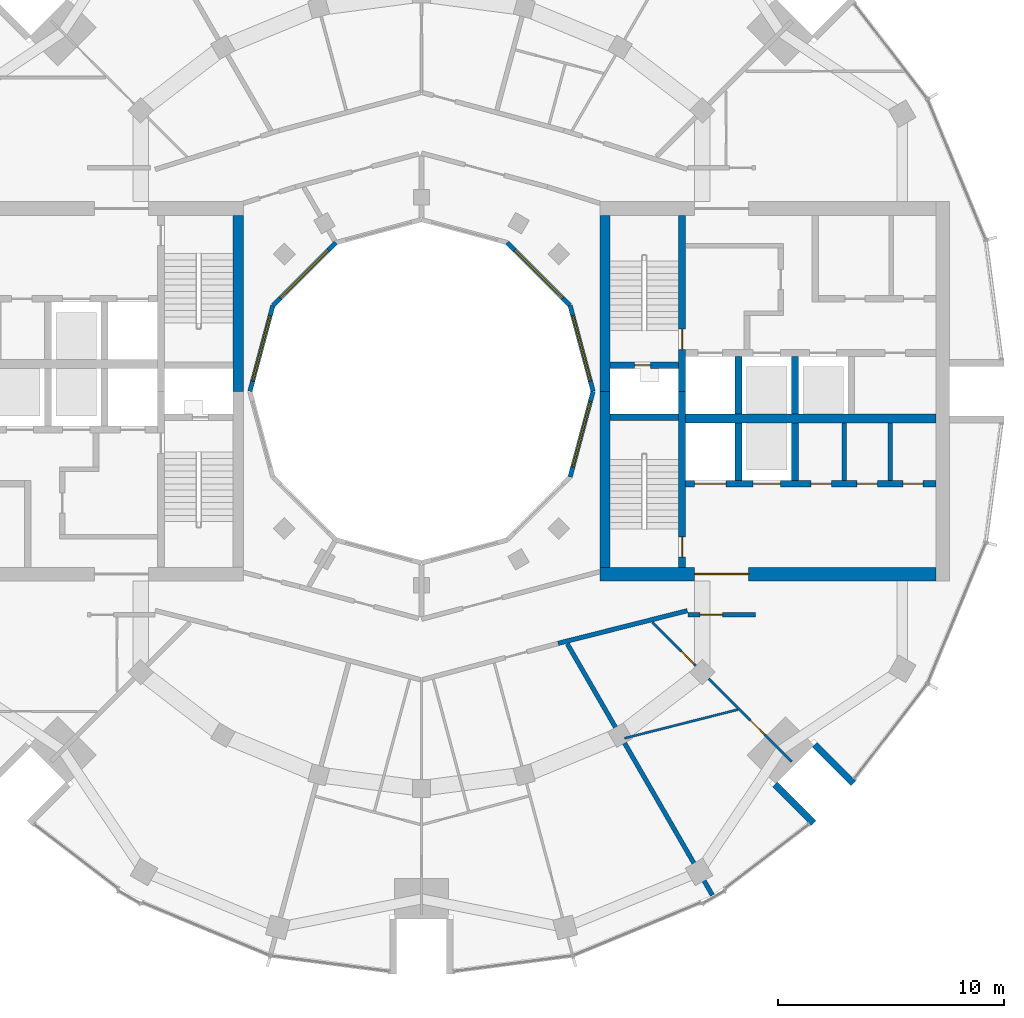
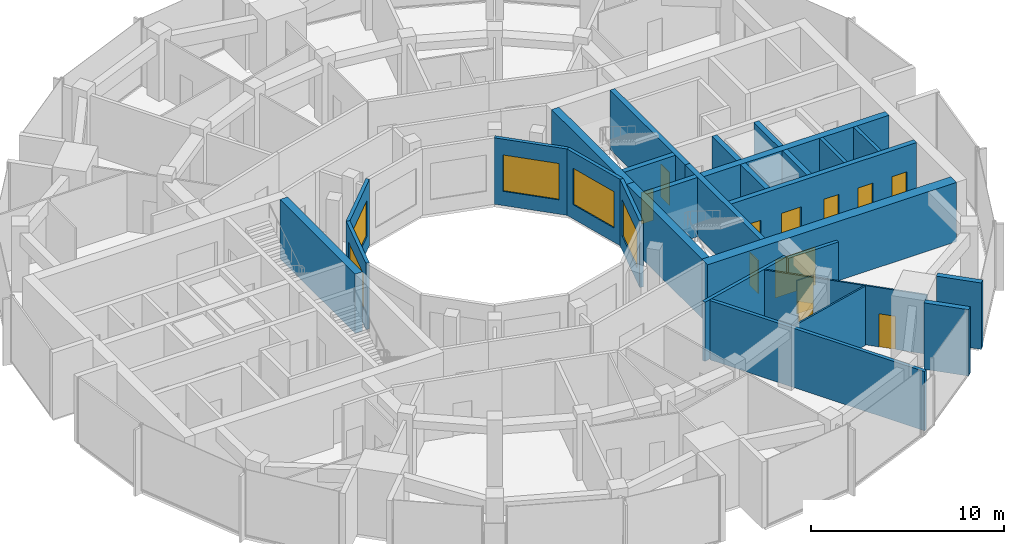
# One storey, part 10 of 15: 28 walls, 12 doors, 5 windows, 17 openings.
"""IFC4 building model written with IfcOpenShell, lengths in metres."""

from ifc_helpers import new_model, si_unit, direction, frame, frame_2d, origin, place, context, subcontext, project, spatial, rectangle, extrude, material, layer, layer_set, type_object, element, fill, save


model = new_model("IFC4")

# Units and contexts
model_context = context("Model", 3, precision=1e-05, world=origin(), true_north=direction((0.0, 1.0)))
body_context = subcontext(model_context, "Body", "Model", "MODEL_VIEW")
ifc_project = project(units=[si_unit("LENGTHUNIT", "METRE"), si_unit("AREAUNIT", "SQUARE_METRE"), si_unit("VOLUMEUNIT", "CUBIC_METRE"), si_unit("PLANEANGLEUNIT", "RADIAN"), si_unit("MASSUNIT", "GRAM", prefix="KILO")], contexts=[model_context])

# Site, building, storey
site_placement = place(None, origin())
site = spatial("IfcSite", under=ifc_project, at=site_placement, CompositionType="ELEMENT")
building_placement = place(site_placement, origin())
building = spatial("IfcBuilding", under=site, at=building_placement, Name="Torre Brocal", CompositionType="ELEMENT")
storey_placement = place(building_placement, frame((0.0, 0.0, 266.699951171875)))
storey = spatial("IfcBuildingStorey", under=building, at=storey_placement, Name="L61", CompositionType="ELEMENT", Elevation=266.699951171875)

# Walls
ifc_material_1 = material(Name="Masonry block", Category="masonry")
ifc_layer_1 = layer(ifc_material_1, 0.199951171875)
ifc_layer_set_1 = layer_set([ifc_layer_1], Name="Masonry block")
wall_type_1 = type_object("IfcWallType", Name="CORE PARTITION 200 UNDER 450 SLAB", PredefinedType="PARTITIONING", material=ifc_layer_set_1)
for number, where, z_axis, x_axis, name in (
    (1, (98.7333984375, 71.050048828125, 0.0), (0.0, 0.0, 1.0), (0.0, 1.0, 0.0), "Wall CP200-S450"),
    (2, (100.7666015625, 71.050048828125, 0.0), (0.0, 0.0, 1.0), (0.0, 1.0, 0.0), "Wall CP200-S450"),
):
    element("IfcWall", number, at=place(storey_placement, frame(where, z_axis=z_axis, x_axis=x_axis)), inside=storey, type_object=wall_type_1, Name=name, PredefinedType="PARTITIONING", context=body_context, shape_type="SweptSolid", body=[
        extrude(rectangle(XDim=2.550048828125, YDim=0.199951171875, at=frame_2d((1.27490234375, 0.0))), origin(), (0.0, 0.0, 1.0), 3.75),
    ])

# Wall, opening, door
ifc_material_2 = material(Name="Concrete C60", Category="concrete")
ifc_layer_2 = layer(ifc_material_2, 0.300048828125)
ifc_layer_set_2 = layer_set([ifc_layer_2], Name="Concrete C60")
wall_type_2 = type_object("IfcWallType", Name="CORE WALL 300 C60 UNDER 450 SLAB", PredefinedType="SHEAR", material=ifc_layer_set_2)
wall_1_placement = place(storey_placement, frame((91.550048828125, 75.0, 0.0), z_axis=(0.0, 0.0, 1.0), x_axis=(0.0, 1.0, 0.0)))
wall_1 = element("IfcWall", 3, at=wall_1_placement, inside=storey, type_object=wall_type_2, Name="Wall CW300-60-S450", PredefinedType="SHEAR", context=body_context, shape_type="SweptSolid", body=[
    extrude(rectangle(XDim=7.800048828125, YDim=0.300048828125, at=frame_2d((3.89990234375, 0.0))), origin(), (0.0, 0.0, 1.0), 3.75),
])
opening_1_placement = place(wall_1_placement, frame((1.85009765625, 0.0, 0.0)))
opening_1 = element("IfcOpeningElement", 4, at=opening_1_placement, cuts=wall_1, Name="Opening E-D02", PredefinedType="OPENING", context=body_context, shape_type="SweptSolid", body=[
    extrude(rectangle(XDim=0.89990234375, YDim=2.10009765625, at=frame_2d((0.449951171875, 1.050048828125))), frame((0.0, 0.159912109375, 0.0), z_axis=(0.0, -1.0, 0.0), x_axis=(1.0, 0.0, 0.0)), (0.0, 0.0, 1.0), 0.320068359375),
])
ifc_material_3 = material(Name="Steel A653", Category="steel")
door_type_1 = type_object("IfcDoorType", Name="STAIR DOOR FD120 900X2100", OperationType="SINGLE_SWING_RIGHT", PredefinedType="DOOR", material=ifc_material_3)
door_1_placement = place(opening_1_placement, origin())
door_1 = element("IfcDoor", 5, at=door_1_placement, inside=storey, type_object=door_type_1, Name="Door E-D02", OperationType="SINGLE_SWING_LEFT", OverallHeight=2.10009765625, OverallWidth=0.89990234375, PredefinedType="DOOR", context=body_context, shape_type="SweptSolid", body=[
    extrude(rectangle(XDim=0.89990234375, YDim=2.10009765625, at=frame_2d((0.449951171875, 1.050048828125))), frame((0.0, 0.02490234375, 0.0), z_axis=(0.0, -1.0, 0.0), x_axis=(1.0, 0.0, 0.0)), (0.0, 0.0, 1.0), 0.050048828125),
])
fill(opening_1, door_1)

wall_2_placement = place(storey_placement, frame((91.550048828125, 67.199951171875, 0.0), z_axis=(0.0, 0.0, 1.0), x_axis=(0.0, 1.0, 0.0)))
wall_2 = element("IfcWall", 6, at=wall_2_placement, inside=storey, type_object=wall_type_2, Name="Wall CW300-60-S450", PredefinedType="SHEAR", context=body_context, shape_type="SweptSolid", body=[
    extrude(rectangle(XDim=7.800048828125, YDim=0.300048828125, at=frame_2d((3.89990234375, 0.0))), origin(), (0.0, 0.0, 1.0), 3.75),
])
opening_2_placement = place(wall_2_placement, frame((0.449951171875, 0.0, 0.0)))
opening_2 = element("IfcOpeningElement", 7, at=opening_2_placement, cuts=wall_2, Name="Opening E-D03", PredefinedType="OPENING", context=body_context, shape_type="SweptSolid", body=[
    extrude(rectangle(XDim=0.89990234375, YDim=2.10009765625, at=frame_2d((0.449951171875, 1.050048828125))), frame((0.0, 0.159912109375, 0.0), z_axis=(0.0, -1.0, 0.0), x_axis=(1.0, 0.0, 0.0)), (0.0, 0.0, 1.0), 0.320068359375),
])
door_2_placement = place(opening_2_placement, origin())
door_2 = element("IfcDoor", 8, at=door_2_placement, inside=storey, type_object=door_type_1, Name="Door E-D03", OperationType="SINGLE_SWING_LEFT", OverallHeight=2.10009765625, OverallWidth=0.89990234375, PredefinedType="DOOR", context=body_context, shape_type="SweptSolid", body=[
    extrude(rectangle(XDim=0.89990234375, YDim=2.10009765625, at=frame_2d((0.449951171875, 1.050048828125))), frame((0.0, 0.02490234375, 0.0), z_axis=(0.0, -1.0, 0.0), x_axis=(1.0, 0.0, 0.0)), (0.0, 0.0, 1.0), 0.050048828125),
])
fill(opening_2, door_2)

wall_3_placement = place(storey_placement, frame((88.35009765625, 76.14990234375, 0.0), z_axis=(0.0, 0.0, 1.0), x_axis=(1.0, 0.0, 0.0)))
wall_3 = element("IfcWall", 9, at=wall_3_placement, inside=storey, type_object=wall_type_2, Name="Wall CW300-60-S450", PredefinedType="SHEAR", context=body_context, shape_type="SweptSolid", body=[
    extrude(rectangle(XDim=3.0498046875, YDim=0.300048828125, at=frame_2d((1.52490234375, 0.0))), origin(), (0.0, 0.0, 1.0), 3.75),
])
opening_3_placement = place(wall_3_placement, frame((1.10009765625, 0.0, 0.0)))
opening_3 = element("IfcOpeningElement", 10, at=opening_3_placement, cuts=wall_3, Name="Opening E-D01", PredefinedType="OPENING", context=body_context, shape_type="SweptSolid", body=[
    extrude(rectangle(XDim=0.699951171875, YDim=2.0, at=frame_2d((0.35009765625, 1.0))), frame((0.0, 0.159912109375, 0.0), z_axis=(0.0, -1.0, 0.0), x_axis=(1.0, 0.0, 0.0)), (0.0, 0.0, 1.0), 0.320068359375),
])
ifc_material_4 = material(Name="Steel A653", Category="steel")
door_type_2 = type_object("IfcDoorType", Name="RISER DOOR FD120 700X2000", OperationType="SINGLE_SWING_LEFT", PredefinedType="DOOR", material=ifc_material_4)
door_3_placement = place(opening_3_placement, frame((0.699951171875, 0.0, 0.0), z_axis=(0.0, 0.0, 1.0), x_axis=(-1.0, 0.0, 0.0)))
door_3 = element("IfcDoor", 11, at=door_3_placement, inside=storey, type_object=door_type_2, Name="Door E-D01", OperationType="SINGLE_SWING_RIGHT", OverallHeight=2.0, OverallWidth=0.699951171875, PredefinedType="DOOR", context=body_context, shape_type="SweptSolid", body=[
    extrude(rectangle(XDim=0.699951171875, YDim=2.0, at=frame_2d((0.35009765625, 1.0))), frame((0.0, 0.02490234375, 0.0), z_axis=(0.0, -1.0, 0.0), x_axis=(1.0, 0.0, 0.0)), (0.0, 0.0, 1.0), 0.050048828125),
])
fill(opening_3, door_3)

# Wall
wall_4_placement = place(storey_placement, frame((88.35009765625, 73.85009765625, 0.0), z_axis=(0.0, 0.0, 1.0), x_axis=(1.0, 0.0, 0.0)))
element("IfcWall", 12, at=wall_4_placement, inside=storey, type_object=wall_type_2, Name="Wall CW300-60-S450", PredefinedType="SHEAR", context=body_context, shape_type="SweptSolid", body=[
    extrude(rectangle(XDim=3.0498046875, YDim=0.300048828125, at=frame_2d((1.52490234375, 0.0))), origin(), (0.0, 0.0, 1.0), 3.75),
])

# Wall, openings, doors
wall_5_placement = place(storey_placement, frame((91.699951171875, 70.89990234375, 0.0), z_axis=(0.0, 0.0, 1.0), x_axis=(1.0, 0.0, 0.0)))
wall_5 = element("IfcWall", 13, at=wall_5_placement, inside=storey, type_object=wall_type_2, Name="Wall CW300-60-S450", PredefinedType="SHEAR", context=body_context, shape_type="SweptSolid", body=[
    extrude(rectangle(XDim=11.10009765625, YDim=0.300048828125, at=frame_2d((5.550048828125, 0.0))), origin(), (0.0, 0.0, 1.0), 3.75),
])
opening_4_placement = place(wall_5_placement, frame((0.39990234375, 0.0, 0.0)))
opening_4 = element("IfcOpeningElement", 14, at=opening_4_placement, cuts=wall_5, Name="Opening LD14", PredefinedType="OPENING", context=body_context, shape_type="SweptSolid", body=[
    extrude(rectangle(XDim=1.39990234375, YDim=2.10009765625, at=frame_2d((0.699951171875, 1.050048828125))), frame((0.0, 0.159912109375, 0.0), z_axis=(0.0, -1.0, 0.0), x_axis=(1.0, 0.0, 0.0)), (0.0, 0.0, 1.0), 0.320068359375),
])
opening_5_placement = place(wall_5_placement, frame((3.0, 0.0, 0.0)))
opening_5 = element("IfcOpeningElement", 15, at=opening_5_placement, cuts=wall_5, Name="Opening LD12", PredefinedType="OPENING", context=body_context, shape_type="SweptSolid", body=[
    extrude(rectangle(XDim=1.199951171875, YDim=2.10009765625, at=frame_2d((0.60009765625, 1.050048828125))), frame((0.0, 0.159912109375, 0.0), z_axis=(0.0, -1.0, 0.0), x_axis=(1.0, 0.0, 0.0)), (0.0, 0.0, 1.0), 0.320068359375),
])
opening_6_placement = place(wall_5_placement, frame((5.566650390625, 0.0, 0.0)))
opening_6 = element("IfcOpeningElement", 16, at=opening_6_placement, cuts=wall_5, Name="Opening E-D05", PredefinedType="OPENING", context=body_context, shape_type="SweptSolid", body=[
    extrude(rectangle(XDim=0.89990234375, YDim=2.10009765625, at=frame_2d((0.449951171875, 1.050048828125))), frame((0.0, 0.159912109375, 0.0), z_axis=(0.0, -1.0, 0.0), x_axis=(1.0, 0.0, 0.0)), (0.0, 0.0, 1.0), 0.320068359375),
])
opening_7_placement = place(wall_5_placement, frame((7.60009765625, 0.0, 0.0)))
opening_7 = element("IfcOpeningElement", 17, at=opening_7_placement, cuts=wall_5, Name="Opening E-D06", PredefinedType="OPENING", context=body_context, shape_type="SweptSolid", body=[
    extrude(rectangle(XDim=0.89990234375, YDim=2.10009765625, at=frame_2d((0.449951171875, 1.050048828125))), frame((0.0, 0.159912109375, 0.0), z_axis=(0.0, -1.0, 0.0), x_axis=(1.0, 0.0, 0.0)), (0.0, 0.0, 1.0), 0.320068359375),
])
opening_8_placement = place(wall_5_placement, frame((9.63330078125, 0.0, 0.0)))
opening_8 = element("IfcOpeningElement", 18, at=opening_8_placement, cuts=wall_5, Name="Opening E-D07", PredefinedType="OPENING", context=body_context, shape_type="SweptSolid", body=[
    extrude(rectangle(XDim=0.89990234375, YDim=2.10009765625, at=frame_2d((0.449951171875, 1.050048828125))), frame((0.0, 0.159912109375, 0.0), z_axis=(0.0, -1.0, 0.0), x_axis=(1.0, 0.0, 0.0)), (0.0, 0.0, 1.0), 0.320068359375),
])
ifc_material_5 = material(Name="Stainless steel AISI 316", Category="steel")
door_type_3 = type_object("IfcDoorType", Name="LIFT LANDING DOOR 1200X2100", OperationType="DOUBLE_DOOR_SLIDING", PredefinedType="DOOR", material=ifc_material_5)
door_4_placement = place(opening_5_placement, origin())
door_4 = element("IfcDoor", 19, at=door_4_placement, inside=storey, type_object=door_type_3, Name="Door LD12", OperationType="DOUBLE_DOOR_SLIDING", OverallHeight=2.10009765625, OverallWidth=1.199951171875, PredefinedType="DOOR", context=body_context, shape_type="SweptSolid", body=[
    extrude(rectangle(XDim=1.199951171875, YDim=2.10009765625, at=frame_2d((0.60009765625, 1.050048828125))), frame((0.0, 0.02490234375, 0.0), z_axis=(0.0, -1.0, 0.0), x_axis=(1.0, 0.0, 0.0)), (0.0, 0.0, 1.0), 0.050048828125),
])
fill(opening_5, door_4)
ifc_material_6 = material(Name="Stainless steel AISI 316", Category="steel")
door_type_4 = type_object("IfcDoorType", Name="LIFT LANDING DOOR 1400X2100", OperationType="DOUBLE_DOOR_SLIDING", PredefinedType="DOOR", material=ifc_material_6)
door_5_placement = place(opening_4_placement, origin())
door_5 = element("IfcDoor", 20, at=door_5_placement, inside=storey, type_object=door_type_4, Name="Door LD14", OperationType="DOUBLE_DOOR_SLIDING", OverallHeight=2.10009765625, OverallWidth=1.39990234375, PredefinedType="DOOR", context=body_context, shape_type="SweptSolid", body=[
    extrude(rectangle(XDim=1.39990234375, YDim=2.10009765625, at=frame_2d((0.699951171875, 1.050048828125))), frame((0.0, 0.02490234375, 0.0), z_axis=(0.0, -1.0, 0.0), x_axis=(1.0, 0.0, 0.0)), (0.0, 0.0, 1.0), 0.050048828125),
])
fill(opening_4, door_5)
ifc_material_7 = material(Name="Steel A653", Category="steel")
door_type_5 = type_object("IfcDoorType", Name="ROOM DOOR FD30S 900X2100", OperationType="SINGLE_SWING_LEFT", PredefinedType="DOOR", material=ifc_material_7)
door_6_placement = place(opening_6_placement, origin())
door_6 = element("IfcDoor", 21, at=door_6_placement, inside=storey, type_object=door_type_5, Name="Door E-D05", OperationType="SINGLE_SWING_RIGHT", OverallHeight=2.10009765625, OverallWidth=0.89990234375, PredefinedType="DOOR", context=body_context, shape_type="SweptSolid", body=[
    extrude(rectangle(XDim=0.89990234375, YDim=2.10009765625, at=frame_2d((0.449951171875, 1.050048828125))), frame((0.0, 0.02490234375, 0.0), z_axis=(0.0, -1.0, 0.0), x_axis=(1.0, 0.0, 0.0)), (0.0, 0.0, 1.0), 0.050048828125),
])
fill(opening_6, door_6)
door_7_placement = place(opening_7_placement, origin())
door_7 = element("IfcDoor", 22, at=door_7_placement, inside=storey, type_object=door_type_5, Name="Door E-D06", OperationType="SINGLE_SWING_RIGHT", OverallHeight=2.10009765625, OverallWidth=0.89990234375, PredefinedType="DOOR", context=body_context, shape_type="SweptSolid", body=[
    extrude(rectangle(XDim=0.89990234375, YDim=2.10009765625, at=frame_2d((0.449951171875, 1.050048828125))), frame((0.0, 0.02490234375, 0.0), z_axis=(0.0, -1.0, 0.0), x_axis=(1.0, 0.0, 0.0)), (0.0, 0.0, 1.0), 0.050048828125),
])
fill(opening_7, door_7)
door_8_placement = place(opening_8_placement, origin())
door_8 = element("IfcDoor", 23, at=door_8_placement, inside=storey, type_object=door_type_5, Name="Door E-D07", OperationType="SINGLE_SWING_LEFT", OverallHeight=2.10009765625, OverallWidth=0.89990234375, PredefinedType="DOOR", context=body_context, shape_type="SweptSolid", body=[
    extrude(rectangle(XDim=0.89990234375, YDim=2.10009765625, at=frame_2d((0.449951171875, 1.050048828125))), frame((0.0, 0.02490234375, 0.0), z_axis=(0.0, -1.0, 0.0), x_axis=(1.0, 0.0, 0.0)), (0.0, 0.0, 1.0), 0.050048828125),
])
fill(opening_8, door_8)

# Walls
for number, where, z_axis, x_axis, name in (
    (24, (94.050048828125, 74.0, 0.0), (0.0, 0.0, 1.0), (0.0, 1.0, 0.0), "Wall CW300-60-S450"),
    (25, (96.550048828125, 74.0, 0.0), (0.0, 0.0, 1.0), (0.0, 1.0, 0.0), "Wall CW300-60-S450"),
    (26, (94.050048828125, 71.050048828125, 0.0), (0.0, 0.0, 1.0), (0.0, 1.0, 0.0), "Wall CW300-60-S450"),
    (27, (96.550048828125, 71.050048828125, 0.0), (0.0, 0.0, 1.0), (0.0, 1.0, 0.0), "Wall CW300-60-S450"),
):
    element("IfcWall", number, at=place(storey_placement, frame(where, z_axis=z_axis, x_axis=x_axis)), inside=storey, type_object=wall_type_2, Name=name, PredefinedType="SHEAR", context=body_context, shape_type="SweptSolid", body=[
        extrude(rectangle(XDim=2.550048828125, YDim=0.300048828125, at=frame_2d((1.27490234375, 0.0))), origin(), (0.0, 0.0, 1.0), 3.75),
    ])
ifc_material_8 = material(Name="Concrete C60", Category="concrete")
ifc_layer_3 = layer(ifc_material_8, 0.39990234375)
ifc_layer_set_3 = layer_set([ifc_layer_3], Name="Concrete C60")
wall_type_3 = type_object("IfcWallType", Name="CORE WALL 400 C60 UNDER 450 SLAB", PredefinedType="SHEAR", material=ifc_layer_set_3)
wall_6_placement = place(storey_placement, frame((91.699951171875, 73.800048828125, 0.0), z_axis=(0.0, 0.0, 1.0), x_axis=(1.0, 0.0, 0.0)))
element("IfcWall", 28, at=wall_6_placement, inside=storey, type_object=wall_type_3, Name="Wall CW400-60-S450", PredefinedType="SHEAR", context=body_context, shape_type="SweptSolid", body=[
    extrude(rectangle(XDim=11.10009765625, YDim=0.39990234375, at=frame_2d((5.550048828125, 0.0))), origin(), (0.0, 0.0, 1.0), 3.75),
])
ifc_material_9 = material(Name="Concrete C60", Category="concrete")
ifc_layer_4 = layer(ifc_material_9, 0.449951171875)
ifc_layer_set_4 = layer_set([ifc_layer_4], Name="Concrete C60")
wall_type_4 = type_object("IfcWallType", Name="CORE WALL 450 C60 UNDER 450 SLAB", PredefinedType="SHEAR", material=ifc_layer_set_4)
for number, where, z_axis, x_axis, name in (
    (29, (88.125, 75.0, 0.0), (0.0, 0.0, 1.0), (0.0, 1.0, 0.0), "Wall CW450-60-S450"),
    (30, (88.125, 67.199951171875, 0.0), (0.0, 0.0, 1.0), (0.0, 1.0, 0.0), "Wall CW450-60-S450"),
    (31, (71.875, 82.800048828125, 0.0), (0.0, 0.0, 1.0), (0.0, -1.0, 0.0), "Wall CW450-60-S450"),
):
    element("IfcWall", number, at=place(storey_placement, frame(where, z_axis=z_axis, x_axis=x_axis)), inside=storey, type_object=wall_type_4, Name=name, PredefinedType="SHEAR", context=body_context, shape_type="SweptSolid", body=[
        extrude(rectangle(XDim=7.800048828125, YDim=0.449951171875, at=frame_2d((3.89990234375, 0.0))), origin(), (0.0, 0.0, 1.0), 3.75),
    ])

# Wall, opening, door
ifc_material_10 = material(Name="Concrete C60", Category="concrete")
ifc_layer_5 = layer(ifc_material_10, 0.60009765625)
ifc_layer_set_5 = layer_set([ifc_layer_5], Name="Concrete C60")
wall_type_5 = type_object("IfcWallType", Name="CORE WALL 600 C60 UNDER 450 SLAB", PredefinedType="SHEAR", material=ifc_layer_set_5)
wall_7_placement = place(storey_placement, frame((87.89990234375, 66.89990234375, 0.0), z_axis=(0.0, 0.0, 1.0), x_axis=(1.0, 0.0, 0.0)))
wall_7 = element("IfcWall", 32, at=wall_7_placement, inside=storey, type_object=wall_type_5, Name="Wall CW600-60-S450", PredefinedType="SHEAR", context=body_context, shape_type="SweptSolid", body=[
    extrude(rectangle(XDim=14.900146484375, YDim=0.60009765625, at=frame_2d((7.4501953125, 0.0))), origin(), (0.0, 0.0, 1.0), 3.75),
])
opening_9_placement = place(wall_7_placement, frame((4.199951171875, 0.0, 0.0)))
opening_9 = element("IfcOpeningElement", 33, at=opening_9_placement, cuts=wall_7, Name="Opening E-D12", PredefinedType="OPENING", context=body_context, shape_type="SweptSolid", body=[
    extrude(rectangle(XDim=2.39990234375, YDim=2.39990234375, at=frame_2d((1.199951171875, 1.199951171875))), frame((0.0, 0.31005859375, 0.0), z_axis=(0.0, -1.0, 0.0), x_axis=(1.0, 0.0, 0.0)), (0.0, 0.0, 1.0), 0.6201171875),
])
ifc_material_11 = material(Name="Steel A653", Category="steel")
door_type_6 = type_object("IfcDoorType", Name="DOUBLE FIRE DOOR FD90 2400X2400", OperationType="DOUBLE_DOOR_SINGLE_SWING", PredefinedType="DOOR", material=ifc_material_11)
door_9_placement = place(opening_9_placement, origin())
door_9 = element("IfcDoor", 34, at=door_9_placement, inside=storey, type_object=door_type_6, Name="Door E-D12", OperationType="DOUBLE_DOOR_SINGLE_SWING", OverallHeight=2.39990234375, OverallWidth=2.39990234375, PredefinedType="DOOR", context=body_context, shape_type="SweptSolid", body=[
    extrude(rectangle(XDim=2.39990234375, YDim=2.39990234375, at=frame_2d((1.199951171875, 1.199951171875))), frame((0.0, 0.02490234375, 0.0), z_axis=(0.0, -1.0, 0.0), x_axis=(1.0, 0.0, 0.0)), (0.0, 0.0, 1.0), 0.050048828125),
])
fill(opening_9, door_9)

# Walls
ifc_material_12 = material(Name="Concrete C60", Category="concrete")
ifc_layer_6 = layer(ifc_material_12, 0.300048828125)
ifc_layer_set_6 = layer_set([ifc_layer_6], Name="Concrete C60")
wall_type_6 = type_object("IfcWallType", Name="NOTCH RETURN WALL 300 C60", PredefinedType="NOTDEFINED", material=ifc_layer_set_6)
for number, where, z_axis, x_axis, name in (
    (35, (95.662353515625, 57.56982421875, 0.0), (0.0, 0.0, 1.0), (0.707106781187, -0.707106781187, 0.0), "NOTCH RETURN WALL"),
    (36, (97.43017578125, 59.337646484375, 0.0), (0.0, 0.0, 1.0), (0.707106781187, -0.707106781187, 0.0), "NOTCH RETURN WALL"),
):
    element("IfcWall", number, at=place(storey_placement, frame(where, z_axis=z_axis, x_axis=x_axis)), inside=storey, type_object=wall_type_6, Name=name, PredefinedType="NOTDEFINED", context=body_context, shape_type="SweptSolid", body=[
        extrude(rectangle(XDim=2.415771484375, YDim=0.300048828125, at=frame_2d((1.2080078125, 0.0))), origin(), (0.0, 0.0, 1.0), 4.199951171875),
    ])
ifc_material_13 = material(Name="Gypsum board", Category="Gypsum")
ifc_layer_7 = layer(ifc_material_13, 0.10009765625)
ifc_layer_set_7 = layer_set([ifc_layer_7], Name="Gypsum board")
wall_type_7 = type_object("IfcWallType", Name="PARTITION 100", PredefinedType="PARTITIONING", material=ifc_layer_set_7)
wall_8_placement = place(storey_placement, frame((89.001953125, 59.62109375, 0.0), z_axis=(0.0, 0.0, 1.0), x_axis=(0.969445576262, 0.245306491285, 0.0)))
element("IfcWall", 37, at=wall_8_placement, inside=storey, type_object=wall_type_7, Name="BATHROOM WALL", PredefinedType="PARTITIONING", context=body_context, shape_type="SweptSolid", body=[
    extrude(rectangle(XDim=5.160400390625, YDim=0.10009765625, at=frame_2d((2.580078125, 0.0))), origin(), (0.0, 0.0, 1.0), 3.75),
])

# Wall, openings, doors
wall_9_placement = place(storey_placement, frame((90.235107421875, 64.757080078125, 0.0), z_axis=(0.0, 0.0, 1.0), x_axis=(0.706924769926, -0.707288745609, 0.0)))
wall_9 = element("IfcWall", 38, at=wall_9_placement, inside=storey, type_object=wall_type_7, Name="BATHROOM WALL", PredefinedType="PARTITIONING", context=body_context, shape_type="SweptSolid", body=[
    extrude(rectangle(XDim=8.719970703125, YDim=0.10009765625, at=frame_2d((4.35986328125, 0.0))), origin(), (0.0, 0.0, 1.0), 3.75),
])
opening_10_placement = place(wall_9_placement, frame((6.147705078125, 0.0, 0.0)))
opening_10 = element("IfcOpeningElement", 39, at=opening_10_placement, cuts=wall_9, Name="Opening B05-D21", PredefinedType="OPENING", context=body_context, shape_type="SweptSolid", body=[
    extrude(rectangle(XDim=0.89990234375, YDim=2.10009765625, at=frame_2d((0.449951171875, 1.050048828125))), frame((0.0, 0.06005859375, 0.0), z_axis=(0.0, -1.0, 0.0), x_axis=(1.0, 0.0, 0.0)), (0.0, 0.0, 1.0), 0.1201171875),
])
opening_11_placement = place(wall_9_placement, frame((1.819091796875, 0.0, 0.0)))
opening_11 = element("IfcOpeningElement", 40, at=opening_11_placement, cuts=wall_9, Name="Opening B05-D22", PredefinedType="OPENING", context=body_context, shape_type="SweptSolid", body=[
    extrude(rectangle(XDim=0.800048828125, YDim=2.10009765625, at=frame_2d((0.39990234375, 1.050048828125))), frame((0.0, 0.06005859375, 0.0), z_axis=(0.0, -1.0, 0.0), x_axis=(1.0, 0.0, 0.0)), (0.0, 0.0, 1.0), 0.1201171875),
])
ifc_material_14 = material(Name="Timber", Category="wood")
door_type_7 = type_object("IfcDoorType", Name="BATHROOM DOOR 800X2100", OperationType="SINGLE_SWING_LEFT", PredefinedType="DOOR", material=ifc_material_14)
door_10_placement = place(opening_11_placement, frame((0.800048828125, 0.0, 0.0), z_axis=(0.0, 0.0, 1.0), x_axis=(-1.0, 0.0, 0.0)))
door_10 = element("IfcDoor", 41, at=door_10_placement, inside=storey, type_object=door_type_7, Name="B05-D22", OperationType="SINGLE_SWING_RIGHT", OverallHeight=2.10009765625, OverallWidth=0.800048828125, PredefinedType="DOOR", context=body_context, shape_type="SweptSolid", body=[
    extrude(rectangle(XDim=0.800048828125, YDim=2.10009765625, at=frame_2d((0.39990234375, 1.050048828125))), frame((0.0, 0.02490234375, 0.0), z_axis=(0.0, -1.0, 0.0), x_axis=(1.0, 0.0, 0.0)), (0.0, 0.0, 1.0), 0.050048828125),
])
fill(opening_11, door_10)
ifc_material_15 = material(Name="Timber", Category="wood")
door_type_8 = type_object("IfcDoorType", Name="ROOM DOOR 900X2100", OperationType="SINGLE_SWING_LEFT", PredefinedType="DOOR", material=ifc_material_15)
door_11_placement = place(opening_10_placement, origin())
door_11 = element("IfcDoor", 42, at=door_11_placement, inside=storey, type_object=door_type_8, Name="B05-D21", OperationType="SINGLE_SWING_LEFT", OverallHeight=2.10009765625, OverallWidth=0.89990234375, PredefinedType="DOOR", context=body_context, shape_type="SweptSolid", body=[
    extrude(rectangle(XDim=0.89990234375, YDim=2.10009765625, at=frame_2d((0.449951171875, 1.050048828125))), frame((0.0, 0.02490234375, 0.0), z_axis=(0.0, -1.0, 0.0), x_axis=(1.0, 0.0, 0.0)), (0.0, 0.0, 1.0), 0.050048828125),
])
fill(opening_10, door_11)

# Walls
ifc_material_16 = material(Name="Gypsum board", Category="Gypsum")
ifc_layer_8 = layer(ifc_material_16, 0.199951171875)
ifc_layer_set_8 = layer_set([ifc_layer_8], Name="Gypsum board")
wall_type_8 = type_object("IfcWallType", Name="PARTITION 200 EI60", PredefinedType="PARTITIONING", material=ifc_layer_set_8)
wall_10_placement = place(storey_placement, frame((86.052978515625, 63.826171875, 0.0), z_axis=(0.0, 0.0, 1.0), x_axis=(0.969490004987, 0.245130843083, 0.0)))
element("IfcWall", 43, at=wall_10_placement, inside=storey, type_object=wall_type_8, Name="FLAT ENTRANCE WALL", PredefinedType="PARTITIONING", context=body_context, shape_type="SweptSolid", body=[
    extrude(rectangle(XDim=5.907958984375, YDim=0.199951171875, at=frame_2d((2.9541015625, 0.0))), origin(), (0.0, 0.0, 1.0), 3.75),
])
wall_11_placement = place(storey_placement, frame((86.464599609375, 63.80078125, 0.0), z_axis=(0.0, 0.0, 1.0), x_axis=(0.499914633865, -0.866074684336, 0.0)))
element("IfcWall", 44, at=wall_11_placement, inside=storey, type_object=wall_type_8, Name="BATHROOM WALL", PredefinedType="PARTITIONING", context=body_context, shape_type="SweptSolid", body=[
    extrude(rectangle(XDim=12.866455078125, YDim=0.199951171875, at=frame_2d((6.43310546875, 0.0))), origin(), (0.0, 0.0, 1.0), 3.75),
])

# Wall, opening, door
wall_12_placement = place(storey_placement, frame((91.800048828125, 65.10009765625, 0.0), z_axis=(0.0, 0.0, 1.0), x_axis=(1.0, 0.0, 0.0)))
wall_12 = element("IfcWall", 45, at=wall_12_placement, inside=storey, type_object=wall_type_8, Name="FLAT ENTRANCE WALL", PredefinedType="PARTITIONING", context=body_context, shape_type="SweptSolid", body=[
    extrude(rectangle(XDim=3.0, YDim=0.199951171875, at=frame_2d((1.5, 0.0))), origin(), (0.0, 0.0, 1.0), 3.75),
])
opening_12_placement = place(wall_12_placement, frame((0.550048828125, 0.0, 0.0)))
opening_12 = element("IfcOpeningElement", 46, at=opening_12_placement, cuts=wall_12, Name="Opening B05-D20", PredefinedType="OPENING", context=body_context, shape_type="SweptSolid", body=[
    extrude(rectangle(XDim=1.0, YDim=2.10009765625, at=frame_2d((0.5, 1.050048828125))), frame((0.0, 0.10986328125, 0.0), z_axis=(0.0, -1.0, 0.0), x_axis=(1.0, 0.0, 0.0)), (0.0, 0.0, 1.0), 0.219970703125),
])
ifc_material_17 = material(Name="Timber", Category="wood")
door_type_9 = type_object("IfcDoorType", Name="FLAT ENTRY DOOR FD30S 1000X2100", OperationType="SINGLE_SWING_RIGHT", PredefinedType="DOOR", material=ifc_material_17)
door_12_placement = place(opening_12_placement, frame((1.0, 0.0, 0.0), z_axis=(0.0, 0.0, 1.0), x_axis=(-1.0, 0.0, 0.0)))
door_12 = element("IfcDoor", 47, at=door_12_placement, inside=storey, type_object=door_type_9, Name="B05-D20", OperationType="SINGLE_SWING_RIGHT", OverallHeight=2.10009765625, OverallWidth=1.0, PredefinedType="DOOR", context=body_context, shape_type="SweptSolid", body=[
    extrude(rectangle(XDim=1.0, YDim=2.10009765625, at=frame_2d((0.5, 1.050048828125))), frame((0.0, 0.02490234375, 0.0), z_axis=(0.0, -1.0, 0.0), x_axis=(1.0, 0.0, 0.0)), (0.0, 0.0, 1.0), 0.050048828125),
])
fill(opening_12, door_12)

# Wall, opening, window
ifc_material_18 = material(Name="Concrete C40", Category="concrete")
ifc_layer_9 = layer(ifc_material_18, 0.199951171875)
ifc_layer_set_9 = layer_set([ifc_layer_9], Name="Concrete C40")
wall_type_9 = type_object("IfcWallType", Name="WELL FACADE WALL 200", PredefinedType="NOTDEFINED", material=ifc_layer_set_9)
wall_13_placement = place(storey_placement, frame((87.603515625, 75.0, 0.0), z_axis=(0.0, 0.0, 1.0), x_axis=(-0.258789828301, 0.965933654434, 0.0)))
wall_13 = element("IfcWall", 48, at=wall_13_placement, inside=storey, type_object=wall_type_9, Name="WELL FACADE WALL", PredefinedType="NOTDEFINED", context=body_context, shape_type="SweptSolid", body=[
    extrude(rectangle(XDim=3.935791015625, YDim=0.199951171875, at=frame_2d((1.9677734375, 0.0))), origin(), (0.0, 0.0, 1.0), 4.199951171875),
])
opening_13_placement = place(wall_13_placement, frame((0.468017578125, 0.0, 0.89990234375)))
opening_13 = element("IfcOpeningElement", 49, at=opening_13_placement, cuts=wall_13, Name="Opening W1", PredefinedType="OPENING", context=body_context, shape_type="SweptSolid", body=[
    extrude(rectangle(XDim=3.0, YDim=2.300048828125, at=frame_2d((1.5, 1.14990234375))), frame((0.0, 0.10986328125, 0.0), z_axis=(0.0, -1.0, 0.0), x_axis=(1.0, 0.0, 0.0)), (0.0, 0.0, 1.0), 0.219970703125),
])
ifc_material_19 = material(Name="Aluminium and glass", Category="aluminium")
window_type = type_object("IfcWindowType", Name="WELL WINDOW 3000X2300", PartitioningType="SINGLE_PANEL", PredefinedType="WINDOW", material=ifc_material_19)
window_1_placement = place(opening_13_placement, origin())
window_1 = element("IfcWindow", 50, at=window_1_placement, inside=storey, type_object=window_type, Name="WELL WINDOW 3000X2300", OverallHeight=2.300048828125, OverallWidth=3.0, PartitioningType="SINGLE_PANEL", PredefinedType="WINDOW", context=body_context, shape_type="SweptSolid", body=[
    extrude(rectangle(XDim=3.0, YDim=2.300048828125, at=frame_2d((1.5, 1.14990234375))), frame((0.0, 0.030029296875, 0.0), z_axis=(0.0, -1.0, 0.0), x_axis=(1.0, 0.0, 0.0)), (0.0, 0.0, 1.0), 0.06005859375),
])
fill(opening_13, window_1)

wall_14_placement = place(storey_placement, frame((86.5849609375, 78.8017578125, 0.0), z_axis=(0.0, 0.0, 1.0), x_axis=(-0.707106781187, 0.707106781187, 0.0)))
wall_14 = element("IfcWall", 51, at=wall_14_placement, inside=storey, type_object=wall_type_9, Name="WELL FACADE WALL", PredefinedType="NOTDEFINED", context=body_context, shape_type="SweptSolid", body=[
    extrude(rectangle(XDim=3.93603515625, YDim=0.199951171875, at=frame_2d((1.968017578125, 0.0))), origin(), (0.0, 0.0, 1.0), 4.199951171875),
])
opening_14_placement = place(wall_14_placement, frame((0.468017578125, 0.0, 0.89990234375)))
opening_14 = element("IfcOpeningElement", 52, at=opening_14_placement, cuts=wall_14, Name="Opening W1", PredefinedType="OPENING", context=body_context, shape_type="SweptSolid", body=[
    extrude(rectangle(XDim=3.0, YDim=2.300048828125, at=frame_2d((1.5, 1.14990234375))), frame((0.0, 0.10986328125, 0.0), z_axis=(0.0, -1.0, 0.0), x_axis=(1.0, 0.0, 0.0)), (0.0, 0.0, 1.0), 0.219970703125),
])
window_2_placement = place(opening_14_placement, origin())
window_2 = element("IfcWindow", 53, at=window_2_placement, inside=storey, type_object=window_type, Name="WELL WINDOW 3000X2300", OverallHeight=2.300048828125, OverallWidth=3.0, PartitioningType="SINGLE_PANEL", PredefinedType="WINDOW", context=body_context, shape_type="SweptSolid", body=[
    extrude(rectangle(XDim=3.0, YDim=2.300048828125, at=frame_2d((1.5, 1.14990234375))), frame((0.0, 0.030029296875, 0.0), z_axis=(0.0, -1.0, 0.0), x_axis=(1.0, 0.0, 0.0)), (0.0, 0.0, 1.0), 0.06005859375),
])
fill(opening_14, window_2)

wall_15_placement = place(storey_placement, frame((76.1982421875, 81.5849609375, 0.0), z_axis=(0.0, 0.0, 1.0), x_axis=(-0.707106781187, -0.707106781187, 0.0)))
wall_15 = element("IfcWall", 54, at=wall_15_placement, inside=storey, type_object=wall_type_9, Name="WELL FACADE WALL", PredefinedType="NOTDEFINED", context=body_context, shape_type="SweptSolid", body=[
    extrude(rectangle(XDim=3.93603515625, YDim=0.199951171875, at=frame_2d((1.968017578125, 0.0))), origin(), (0.0, 0.0, 1.0), 4.199951171875),
])
opening_15_placement = place(wall_15_placement, frame((0.468017578125, 0.0, 0.89990234375)))
opening_15 = element("IfcOpeningElement", 55, at=opening_15_placement, cuts=wall_15, Name="Opening W1", PredefinedType="OPENING", context=body_context, shape_type="SweptSolid", body=[
    extrude(rectangle(XDim=3.0, YDim=2.300048828125, at=frame_2d((1.5, 1.14990234375))), frame((0.0, 0.10986328125, 0.0), z_axis=(0.0, -1.0, 0.0), x_axis=(1.0, 0.0, 0.0)), (0.0, 0.0, 1.0), 0.219970703125),
])
window_3_placement = place(opening_15_placement, origin())
window_3 = element("IfcWindow", 56, at=window_3_placement, inside=storey, type_object=window_type, Name="WELL WINDOW 3000X2300", OverallHeight=2.300048828125, OverallWidth=3.0, PartitioningType="SINGLE_PANEL", PredefinedType="WINDOW", context=body_context, shape_type="SweptSolid", body=[
    extrude(rectangle(XDim=3.0, YDim=2.300048828125, at=frame_2d((1.5, 1.14990234375))), frame((0.0, 0.030029296875, 0.0), z_axis=(0.0, -1.0, 0.0), x_axis=(1.0, 0.0, 0.0)), (0.0, 0.0, 1.0), 0.06005859375),
])
fill(opening_15, window_3)

wall_16_placement = place(storey_placement, frame((73.4150390625, 78.8017578125, 0.0), z_axis=(0.0, 0.0, 1.0), x_axis=(-0.258789828301, -0.965933654434, 0.0)))
wall_16 = element("IfcWall", 57, at=wall_16_placement, inside=storey, type_object=wall_type_9, Name="WELL FACADE WALL", PredefinedType="NOTDEFINED", context=body_context, shape_type="SweptSolid", body=[
    extrude(rectangle(XDim=3.935791015625, YDim=0.199951171875, at=frame_2d((1.9677734375, 0.0))), origin(), (0.0, 0.0, 1.0), 4.199951171875),
])
opening_16_placement = place(wall_16_placement, frame((0.468017578125, 0.0, 0.89990234375)))
opening_16 = element("IfcOpeningElement", 58, at=opening_16_placement, cuts=wall_16, Name="Opening W1", PredefinedType="OPENING", context=body_context, shape_type="SweptSolid", body=[
    extrude(rectangle(XDim=3.0, YDim=2.300048828125, at=frame_2d((1.5, 1.14990234375))), frame((0.0, 0.10986328125, 0.0), z_axis=(0.0, -1.0, 0.0), x_axis=(1.0, 0.0, 0.0)), (0.0, 0.0, 1.0), 0.219970703125),
])
window_4_placement = place(opening_16_placement, origin())
window_4 = element("IfcWindow", 59, at=window_4_placement, inside=storey, type_object=window_type, Name="WELL WINDOW 3000X2300", OverallHeight=2.300048828125, OverallWidth=3.0, PartitioningType="SINGLE_PANEL", PredefinedType="WINDOW", context=body_context, shape_type="SweptSolid", body=[
    extrude(rectangle(XDim=3.0, YDim=2.300048828125, at=frame_2d((1.5, 1.14990234375))), frame((0.0, 0.030029296875, 0.0), z_axis=(0.0, -1.0, 0.0), x_axis=(1.0, 0.0, 0.0)), (0.0, 0.0, 1.0), 0.06005859375),
])
fill(opening_16, window_4)

wall_17_placement = place(storey_placement, frame((86.5849609375, 71.1982421875, 0.0), z_axis=(0.0, 0.0, 1.0), x_axis=(0.258789828301, 0.965933654434, 0.0)))
wall_17 = element("IfcWall", 60, at=wall_17_placement, inside=storey, type_object=wall_type_9, Name="WELL FACADE WALL", PredefinedType="NOTDEFINED", context=body_context, shape_type="SweptSolid", body=[
    extrude(rectangle(XDim=3.935791015625, YDim=0.199951171875, at=frame_2d((1.9677734375, 0.0))), origin(), (0.0, 0.0, 1.0), 4.199951171875),
])
opening_17_placement = place(wall_17_placement, frame((0.468017578125, 0.0, 0.89990234375)))
opening_17 = element("IfcOpeningElement", 61, at=opening_17_placement, cuts=wall_17, Name="Opening W1", PredefinedType="OPENING", context=body_context, shape_type="SweptSolid", body=[
    extrude(rectangle(XDim=3.0, YDim=2.300048828125, at=frame_2d((1.5, 1.14990234375))), frame((0.0, 0.10986328125, 0.0), z_axis=(0.0, -1.0, 0.0), x_axis=(1.0, 0.0, 0.0)), (0.0, 0.0, 1.0), 0.219970703125),
])
window_5_placement = place(opening_17_placement, origin())
window_5 = element("IfcWindow", 62, at=window_5_placement, inside=storey, type_object=window_type, Name="WELL WINDOW 3000X2300", OverallHeight=2.300048828125, OverallWidth=3.0, PartitioningType="SINGLE_PANEL", PredefinedType="WINDOW", context=body_context, shape_type="SweptSolid", body=[
    extrude(rectangle(XDim=3.0, YDim=2.300048828125, at=frame_2d((1.5, 1.14990234375))), frame((0.0, 0.030029296875, 0.0), z_axis=(0.0, -1.0, 0.0), x_axis=(1.0, 0.0, 0.0)), (0.0, 0.0, 1.0), 0.06005859375),
])
fill(opening_17, window_5)

save(model, "model.ifc")
